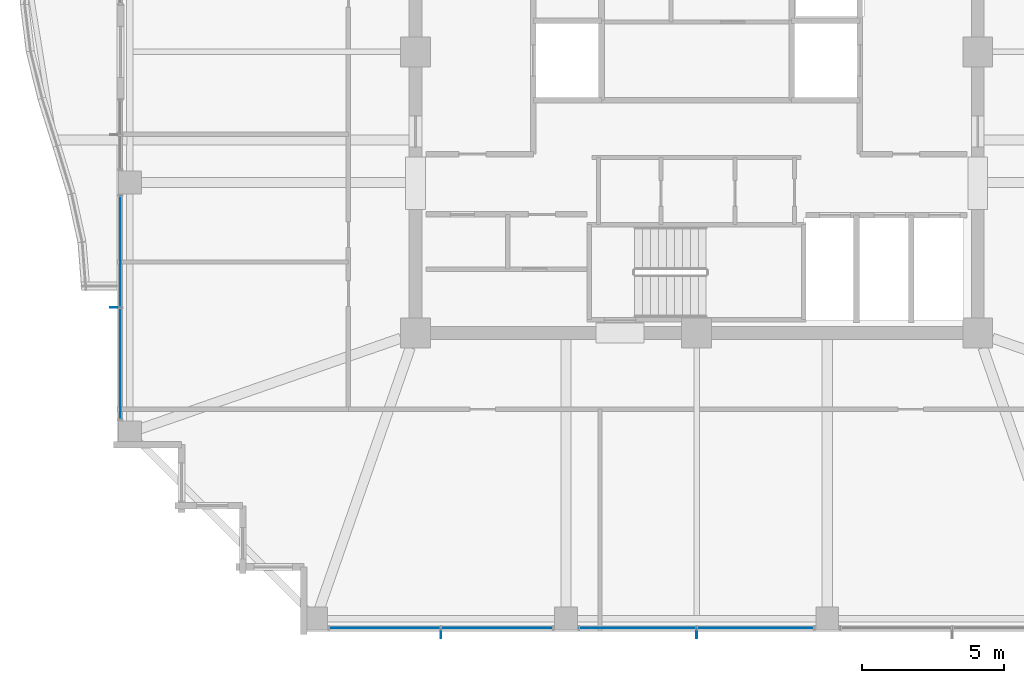
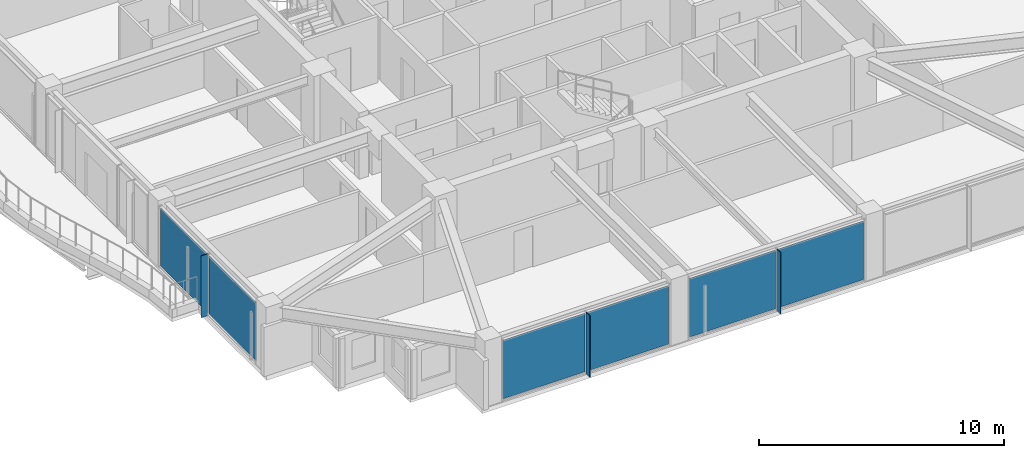
# One storey, part 21 of 34: 9 plates, 3 elements without a shape of their own.
"""IFC4 building model written with IfcOpenShell, lengths in metres."""

from ifc_helpers import new_model, si_unit, direction, frame, origin, origin_2d, place, context, subcontext, project, spatial, rectangle, extrude, material, layer, layer_set, type_object, element, aggregate, save


model = new_model("IFC4")

# Units and contexts
model_context = context("Model", 3, precision=1e-05, world=origin(), true_north=direction((0.0, 1.0)))
body_context = subcontext(model_context, "Body", "Model", "MODEL_VIEW")
ifc_project = project(units=[si_unit("LENGTHUNIT", "METRE"), si_unit("AREAUNIT", "SQUARE_METRE"), si_unit("VOLUMEUNIT", "CUBIC_METRE"), si_unit("PLANEANGLEUNIT", "RADIAN"), si_unit("MASSUNIT", "GRAM", prefix="KILO")], contexts=[model_context])

# Site, building, storey
site_placement = place(None, origin())
site = spatial("IfcSite", under=ifc_project, at=site_placement, CompositionType="ELEMENT")
building_placement = place(site_placement, origin())
building = spatial("IfcBuilding", under=site, at=building_placement, Name="Kolvaren Belvedere", CompositionType="ELEMENT")
storey_placement = place(building_placement, frame((0.0, 0.0, 222.89990234375)))
storey = spatial("IfcBuildingStorey", under=building, at=storey_placement, Name="L65", CompositionType="ELEMENT", Elevation=222.89990234375)

# Curtain wall, plates
ifc_material_1 = material(Name="Anodised pale-metal aluminium AA 6063-T6", Category="aluminium")
curtain_wall_type = type_object("IfcCurtainWallType", Name="CW-Z5-HIGH", PredefinedType="NOTDEFINED", material=ifc_material_1)
curtain_wall_1_placement = place(storey_placement, origin())
curtain_wall_1 = element("IfcCurtainWall", 1, at=curtain_wall_1_placement, inside=storey, type_object=curtain_wall_type, Name="L65 Unitised Curtain Wall FCW-L65-S-B2", PredefinedType="NOTDEFINED")
ifc_material_2 = material(Name="Low-iron triple insulated glass", Category="glass")
ifc_layer_1 = layer(ifc_material_2, 0.028076171875)
ifc_layer_set_1 = layer_set([ifc_layer_1], Name="Low-iron triple insulated glass")
plate_type_1 = type_object("IfcPlateType", Name="CW-PNL-VIS28", PredefinedType="CURTAIN_PANEL", material=ifc_layer_set_1)
plate_1_placement = place(storey_placement, frame((2.072509765625, -20.280029296875, 0.080078125), z_axis=(0.0, 0.0, 1.0), x_axis=(-1.0, 0.0, 0.0)))
plate_1 = element("IfcPlate", 2, at=plate_1_placement, type_object=plate_type_1, Name="FCW-L65-S-B2 Vision Glazing Panel 1", PredefinedType="CURTAIN_PANEL", context=body_context, shape_type="SweptSolid", body=[
    extrude(rectangle(XDim=4.06494140625, YDim=0.028076171875, at=origin_2d()), origin(), (0.0, 0.0, 1.0), 2.919921875),
])
plate_2_placement = place(storey_placement, frame((-2.072509765625, -20.280029296875, 0.080078125), z_axis=(0.0, 0.0, 1.0), x_axis=(-1.0, 0.0, 0.0)))
plate_2 = element("IfcPlate", 3, at=plate_2_placement, type_object=plate_type_1, Name="FCW-L65-S-B2 Vision Glazing Panel 2", PredefinedType="CURTAIN_PANEL", context=body_context, shape_type="SweptSolid", body=[
    extrude(rectangle(XDim=4.06494140625, YDim=0.028076171875, at=origin_2d()), origin(), (0.0, 0.0, 1.0), 2.919921875),
])
aggregate(curtain_wall_1, [plate_1, plate_2])

curtain_wall_2_placement = place(storey_placement, origin())
curtain_wall_2 = element("IfcCurtainWall", 4, at=curtain_wall_2_placement, inside=storey, type_object=curtain_wall_type, Name="L65 Unitised Curtain Wall FCW-L65-S-B3", PredefinedType="NOTDEFINED")
plate_3_placement = place(storey_placement, frame((-7.027587890625, -20.280029296875, 0.080078125), z_axis=(0.0, 0.0, 1.0), x_axis=(-1.0, 0.0, 0.0)))
plate_3 = element("IfcPlate", 5, at=plate_3_placement, type_object=plate_type_1, Name="FCW-L65-S-B3 Vision Glazing Panel 1", PredefinedType="CURTAIN_PANEL", context=body_context, shape_type="SweptSolid", body=[
    extrude(rectangle(XDim=3.864990234375, YDim=0.028076171875, at=origin_2d()), origin(), (0.0, 0.0, 1.0), 2.919921875),
])
plate_4_placement = place(storey_placement, frame((-10.972412109375, -20.280029296875, 0.080078125), z_axis=(0.0, 0.0, 1.0), x_axis=(-1.0, 0.0, 0.0)))
plate_4 = element("IfcPlate", 6, at=plate_4_placement, type_object=plate_type_1, Name="FCW-L65-S-B3 Vision Glazing Panel 2", PredefinedType="CURTAIN_PANEL", context=body_context, shape_type="SweptSolid", body=[
    extrude(rectangle(XDim=3.864990234375, YDim=0.028076171875, at=origin_2d()), origin(), (0.0, 0.0, 1.0), 2.919921875),
])
aggregate(curtain_wall_2, [plate_3, plate_4])

curtain_wall_3_placement = place(storey_placement, origin())
curtain_wall_3 = element("IfcCurtainWall", 7, at=curtain_wall_3_placement, inside=storey, type_object=curtain_wall_type, Name="L65 Unitised Curtain Wall FCW-L65-W1-B1", PredefinedType="NOTDEFINED")
plate_5_placement = place(storey_placement, frame((-20.280029296875, -10.972412109375, 0.080078125), z_axis=(0.0, 0.0, 1.0), x_axis=(0.0, 1.0, 0.0)))
plate_5 = element("IfcPlate", 8, at=plate_5_placement, type_object=plate_type_1, Name="FCW-L65-W1-B1 Vision Glazing Panel 1", PredefinedType="CURTAIN_PANEL", context=body_context, shape_type="SweptSolid", body=[
    extrude(rectangle(XDim=3.864990234375, YDim=0.028076171875, at=origin_2d()), origin(), (0.0, 0.0, 1.0), 2.919921875),
])
plate_6_placement = place(storey_placement, frame((-20.280029296875, -7.027587890625, 0.080078125), z_axis=(0.0, 0.0, 1.0), x_axis=(0.0, 1.0, 0.0)))
plate_6 = element("IfcPlate", 9, at=plate_6_placement, type_object=plate_type_1, Name="FCW-L65-W1-B1 Vision Glazing Panel 2", PredefinedType="CURTAIN_PANEL", context=body_context, shape_type="SweptSolid", body=[
    extrude(rectangle(XDim=3.864990234375, YDim=0.028076171875, at=origin_2d()), origin(), (0.0, 0.0, 1.0), 2.919921875),
])
aggregate(curtain_wall_3, [plate_5, plate_6])

# Plates
ifc_material_3 = material(Name="Anodised pale-metal aluminium AA 6063-T6", Category="aluminium")
ifc_layer_2 = layer(ifc_material_3, 0.030029296875)
ifc_layer_set_2 = layer_set([ifc_layer_2], Name="Anodised pale-metal aluminium AA 6063-T6")
plate_type_2 = type_object("IfcPlateType", Name="FIN-VERT-300", PredefinedType="USERDEFINED", material=ifc_layer_set_2)
for number, where, z_axis, x_axis, name in (
    (10, (0.0, -20.489990234375, 0.0), (0.0, 0.0, 1.0), (0.0, 1.0, 0.0), "L65 Pale-Metal Vertical Shading Fin FCW-L65-S-B2-1"),
    (11, (-9.0, -20.489990234375, 0.0), (0.0, 0.0, 1.0), (0.0, 1.0, 0.0), "L65 Pale-Metal Vertical Shading Fin FCW-L65-S-B3-1"),
    (12, (-20.489990234375, -9.0, 0.0), (0.0, 0.0, 1.0), (1.0, 0.0, 0.0), "L65 Pale-Metal Vertical Shading Fin FCW-L65-W1-B1-1"),
):
    element("IfcPlate", number, at=place(storey_placement, frame(where, z_axis=z_axis, x_axis=x_axis)), inside=storey, type_object=plate_type_2, Name=name, ObjectType="VERTICAL FIN", PredefinedType="USERDEFINED", context=body_context, shape_type="SweptSolid", body=[
        extrude(rectangle(XDim=0.300048828125, YDim=0.030029296875, at=origin_2d()), origin(), (0.0, 0.0, 1.0), 3.080078125),
    ])

save(model, "model.ifc")
